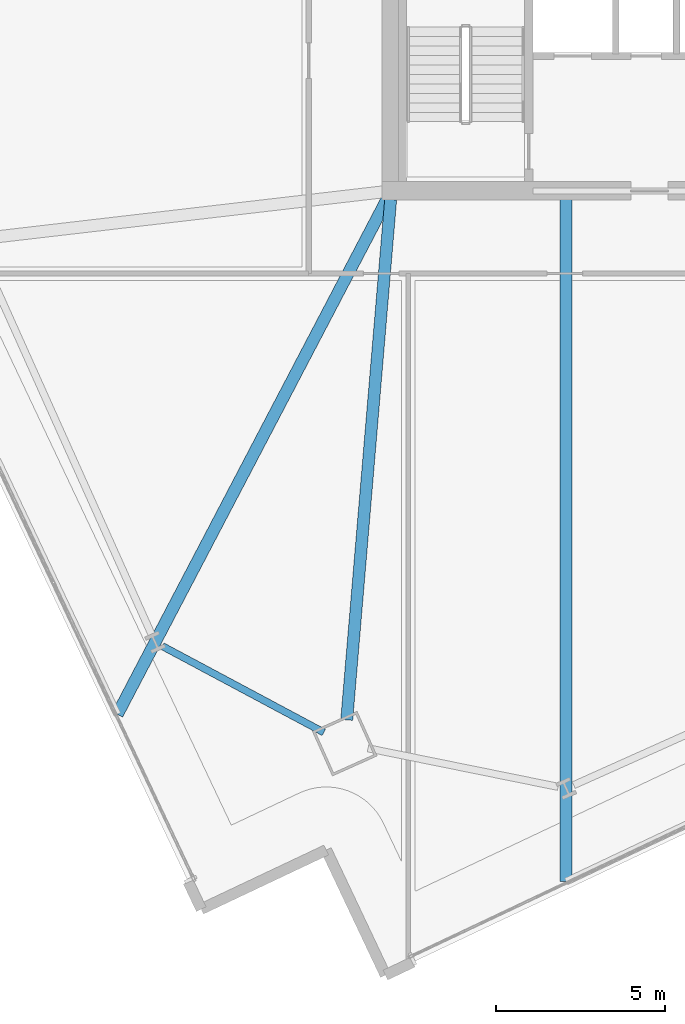
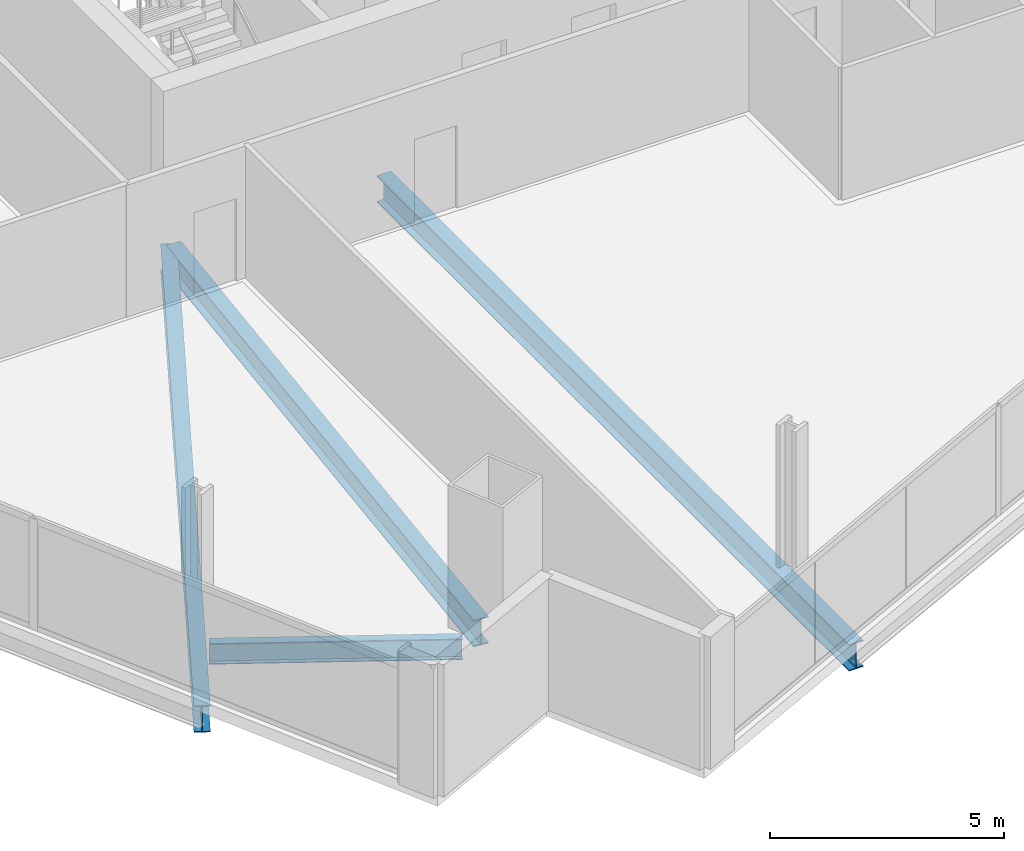
# One storey, part 4 of 34: 4 beams.
"""IFC4 building model written with IfcOpenShell, lengths in metres."""

from ifc_helpers import new_model, si_unit, direction, frame, origin, origin_2d, place, context, subcontext, project, spatial, i_section, extrude, material, material_profile, profile_set, type_object, element, save


model = new_model("IFC4")

# Units and contexts
model_context = context("Model", 3, precision=1e-05, world=origin(), true_north=direction((0.0, 1.0)))
body_context = subcontext(model_context, "Body", "Model", "MODEL_VIEW")
ifc_project = project(units=[si_unit("LENGTHUNIT", "METRE"), si_unit("AREAUNIT", "SQUARE_METRE"), si_unit("VOLUMEUNIT", "CUBIC_METRE"), si_unit("PLANEANGLEUNIT", "RADIAN"), si_unit("MASSUNIT", "GRAM", prefix="KILO")], contexts=[model_context])

# Site, building, storey
site_placement = place(None, origin())
site = spatial("IfcSite", under=ifc_project, at=site_placement, CompositionType="ELEMENT")
building_placement = place(site_placement, origin())
building = spatial("IfcBuilding", under=site, at=building_placement, Name="Haldenkirk Collegiate Tower", CompositionType="ELEMENT")
storey_placement = place(building_placement, frame((0.0, 0.0, 112.949951171875)))
storey = spatial("IfcBuildingStorey", under=building, at=storey_placement, Name="L27", CompositionType="ELEMENT", Elevation=112.949951171875)

# Beams
ifc_material = material(Name="Steel ASTM A992 Grade 50", Category="steel")
ifc_material_profile_1 = material_profile(ifc_material, i_section(OverallWidth=0.35498046875, OverallDepth=0.696044921875, WebThickness=0.015380859375, FlangeThickness=0.02490234375, at=origin_2d()), Name="W27X146")
ifc_profile_set_1 = profile_set([ifc_material_profile_1], Name="Steel ASTM A992 Grade 50")
beam_type_1 = type_object("IfcBeamType", Name="BM-GIRDER-W27X146", PredefinedType="BEAM", material=ifc_profile_set_1)
beam_1_placement = place(storey_placement, frame((25.67578125, 2.3203125, -0.64794921875), z_axis=(0.084153524607, 0.996452800837, 0.0), x_axis=(-0.996452800837, 0.084153524607, 0.0)))
element("IfcBeam", 1, at=beam_1_placement, inside=storey, type_object=beam_type_1, Name="L27 primary floor girder 01", PredefinedType="BEAM", context=body_context, shape_type="SweptSolid", body=[
    extrude(i_section(OverallWidth=0.35498046875, OverallDepth=0.696044921875, WebThickness=0.015380859375, FlangeThickness=0.02490234375, at=origin_2d()), origin(), (0.0, 0.0, 1.0), 15.48046875),
])
beam_2_placement = place(storey_placement, frame((32.181396484375, -2.46728515625, -0.64794921875), z_axis=(0.0, 1.0, 0.0), x_axis=(-1.0, 0.0, 0.0)))
element("IfcBeam", 2, at=beam_2_placement, inside=storey, type_object=beam_type_1, Name="L27 primary floor girder 05", PredefinedType="BEAM", context=body_context, shape_type="SweptSolid", body=[
    extrude(i_section(OverallWidth=0.35498046875, OverallDepth=0.696044921875, WebThickness=0.015380859375, FlangeThickness=0.02490234375, at=origin_2d()), origin(), (0.0, 0.0, 1.0), 20.21240234375),
])
beam_3_placement = place(storey_placement, frame((18.877197265625, 2.484375, -0.64794921875), z_axis=(0.463800300197, 0.885939773087, 0.0), x_axis=(-0.885939773087, 0.463800300197, 0.0)))
element("IfcBeam", 3, at=beam_3_placement, inside=storey, type_object=beam_type_1, Name="L27 primary floor girder 16", PredefinedType="BEAM", context=body_context, shape_type="SweptSolid", body=[
    extrude(i_section(OverallWidth=0.35498046875, OverallDepth=0.696044921875, WebThickness=0.015380859375, FlangeThickness=0.02490234375, at=origin_2d()), origin(), (0.0, 0.0, 1.0), 17.25830078125),
])
ifc_material_profile_2 = material_profile(ifc_material, i_section(OverallWidth=0.2119140625, OverallDepth=0.5439453125, WebThickness=0.01318359375, FlangeThickness=0.021240234375, at=origin_2d()), Name="W21X83")
ifc_profile_set_2 = profile_set([ifc_material_profile_2], Name="Steel ASTM A992 Grade 50")
beam_type_2 = type_object("IfcBeamType", Name="BM-SPANDREL-W21X83", PredefinedType="SPANDREL", material=ifc_profile_set_2)
beam_4_placement = place(storey_placement, frame((20.21240234375, 4.505615234375, -0.572021484375), z_axis=(0.881987493029, -0.471272810737, 0.0), x_axis=(0.471272810737, 0.881987493029, 0.0)))
element("IfcBeam", 4, at=beam_4_placement, inside=storey, type_object=beam_type_2, Name="L27 perimeter spandrel beam 16", PredefinedType="SPANDREL", context=body_context, shape_type="SweptSolid", body=[
    extrude(i_section(OverallWidth=0.2119140625, OverallDepth=0.5439453125, WebThickness=0.01318359375, FlangeThickness=0.021240234375, at=origin_2d()), origin(), (0.0, 0.0, 1.0), 5.42236328125),
])

save(model, "model.ifc")
